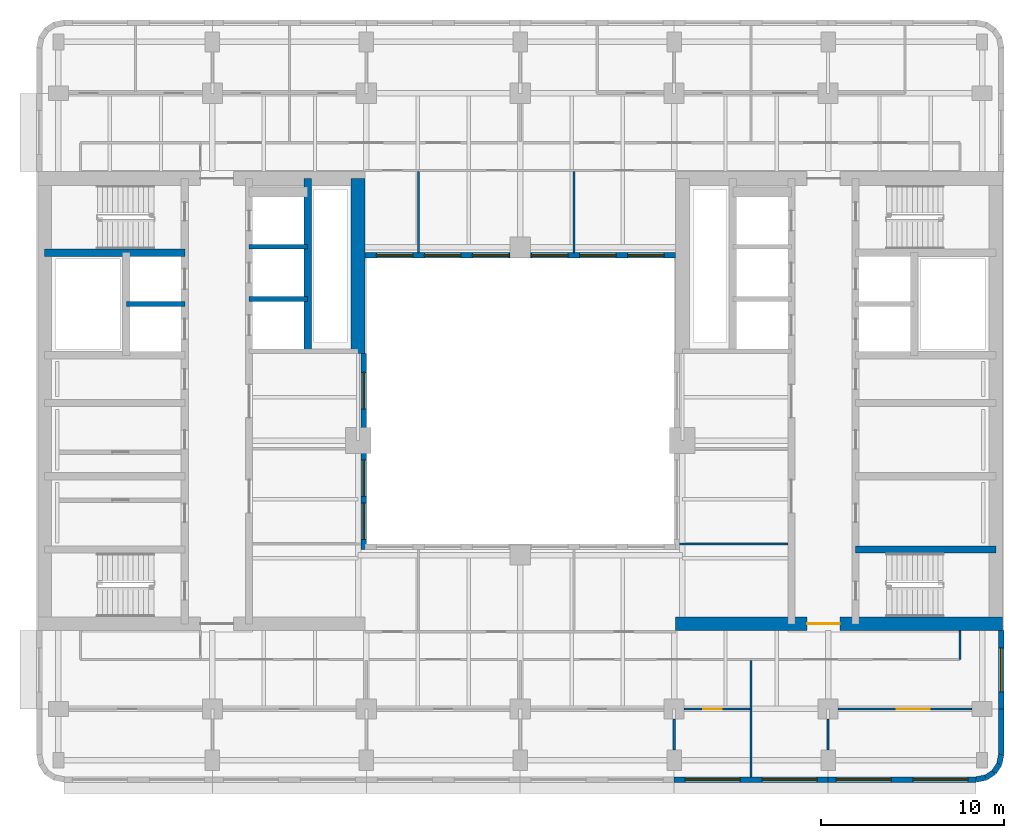
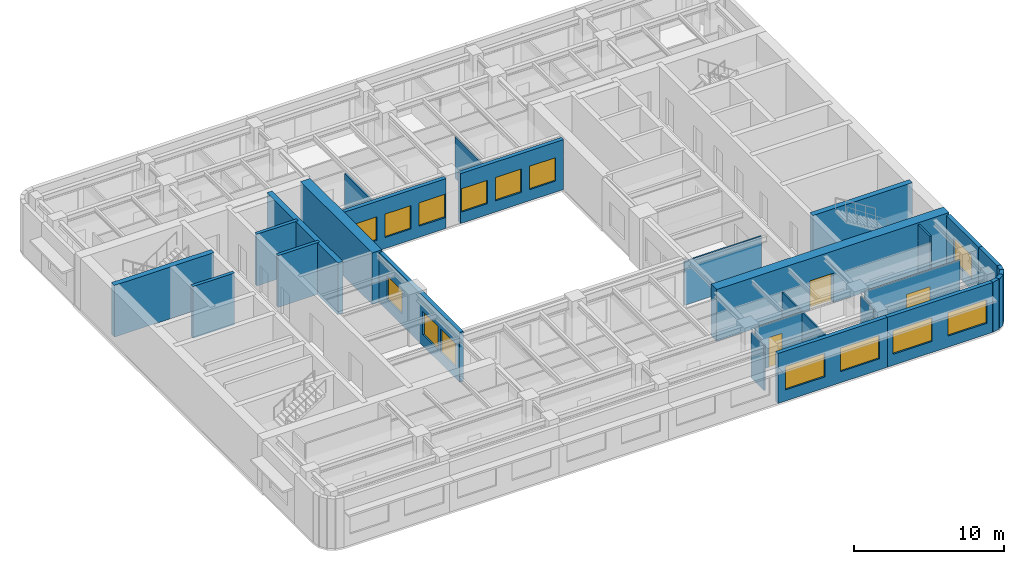
# One storey, part 5 of 12: 29 walls, 14 windows, 3 doors, 17 openings.
"""IFC4 building model written with IfcOpenShell, lengths in metres."""

from ifc_helpers import new_model, si_unit, direction, frame, frame_2d, origin, place, context, subcontext, project, spatial, rectangle, extrude, material, layer, layer_set, type_object, element, fill, save


model = new_model("IFC4")

# Units and contexts
model_context = context("Model", 3, precision=1e-05, world=origin(), true_north=direction((0.0, 1.0)))
body_context = subcontext(model_context, "Body", "Model", "MODEL_VIEW")
ifc_project = project(units=[si_unit("LENGTHUNIT", "METRE"), si_unit("AREAUNIT", "SQUARE_METRE"), si_unit("VOLUMEUNIT", "CUBIC_METRE"), si_unit("PLANEANGLEUNIT", "RADIAN"), si_unit("MASSUNIT", "GRAM", prefix="KILO")], contexts=[model_context])

# Site, building, storey
site_placement = place(None, origin())
site = spatial("IfcSite", under=ifc_project, at=site_placement, CompositionType="ELEMENT")
building_placement = place(site_placement, origin())
building = spatial("IfcBuilding", under=site, at=building_placement, Name="Claustro Exchange Tower", CompositionType="ELEMENT")
storey_placement = place(building_placement, frame((0.0, 0.0, 223.800048828125)))
storey = spatial("IfcBuildingStorey", under=building, at=storey_placement, Name="L51", CompositionType="ELEMENT", Elevation=223.800048828125)

# Wall
ifc_material_1 = material(Name="Laminated glass in aluminium frame", Category="aluminium")
ifc_layer_1 = layer(ifc_material_1, 0.1201171875)
ifc_layer_set_1 = layer_set([ifc_layer_1], Name="Laminated glass in aluminium frame")
wall_type_1 = type_object("IfcWallType", Name="P2 120 glazed partition", PredefinedType="PARTITIONING", material=ifc_layer_set_1)
wall_1_placement = place(storey_placement, frame((33.89794921875, 17.39990234375, 0.0), z_axis=(0.0, 0.0, 1.0), x_axis=(1.0, 0.0, 0.0)))
element("IfcWall", 1, at=wall_1_placement, inside=storey, type_object=wall_type_1, Name="Partition P2 L51", PredefinedType="PARTITIONING", context=body_context, shape_type="SweptSolid", body=[
    extrude(rectangle(XDim=5.904052734375, YDim=0.1201171875, at=frame_2d((2.9521484375, 0.0))), origin(), (0.0, 0.0, 1.0), 3.550048828125),
])

# Wall, opening, door
wall_2_placement = place(storey_placement, frame((34.14892578125, 8.39990234375, 0.0), z_axis=(0.0, 0.0, 1.0), x_axis=(1.0, 0.0, 0.0)))
wall_2 = element("IfcWall", 2, at=wall_2_placement, inside=storey, type_object=wall_type_1, Name="Partition P2 L51", PredefinedType="PARTITIONING", context=body_context, shape_type="SweptSolid", body=[
    extrude(rectangle(XDim=3.593017578125, YDim=0.1201171875, at=frame_2d((1.79638671875, 0.0))), origin(), (0.0, 0.0, 1.0), 3.550048828125),
])
opening_1_placement = place(wall_2_placement, frame((1.051025390625, 0.0, 0.0)))
opening_1 = element("IfcOpeningElement", 3, at=opening_1_placement, cuts=wall_2, Name="Opening D7", PredefinedType="OPENING", context=body_context, shape_type="SweptSolid", body=[
    extrude(rectangle(XDim=1.0, YDim=2.39990234375, at=frame_2d((0.5, 1.199951171875))), frame((0.0, 0.070068359375, 0.0), z_axis=(0.0, -1.0, 0.0), x_axis=(1.0, 0.0, 0.0)), (0.0, 0.0, 1.0), 0.14013671875),
])
ifc_material_2 = material(Name="Glass door in aluminium frame", Category="aluminium")
door_type_1 = type_object("IfcDoorType", Name="D7 1000 x 2400 glazed door", OperationType="SINGLE_SWING_LEFT", PredefinedType="DOOR", material=ifc_material_2)
door_1_placement = place(opening_1_placement, frame((1.0, 0.0, 0.0), z_axis=(0.0, 0.0, 1.0), x_axis=(-1.0, 0.0, 0.0)))
door_1 = element("IfcDoor", 4, at=door_1_placement, inside=storey, type_object=door_type_1, Name="Door D7 L51", OperationType="SINGLE_SWING_LEFT", OverallHeight=2.39990234375, OverallWidth=1.0, PredefinedType="DOOR", context=body_context, shape_type="SweptSolid", body=[
    extrude(rectangle(XDim=1.0, YDim=2.39990234375, at=frame_2d((0.5, 1.199951171875))), frame((0.0, 0.02490234375, 0.0), z_axis=(0.0, -1.0, 0.0), x_axis=(1.0, 0.0, 0.0)), (0.0, 0.0, 1.0), 0.050048828125),
])
fill(opening_1, door_1)

# Walls
wall_3_placement = place(storey_placement, frame((33.60009765625, 6.14892578125, 0.0), z_axis=(0.0, 0.0, 1.0), x_axis=(0.0, 1.0, 0.0)))
element("IfcWall", 5, at=wall_3_placement, inside=storey, type_object=wall_type_1, Name="Partition P2 L51", PredefinedType="PARTITIONING", context=body_context, shape_type="SweptSolid", body=[
    extrude(rectangle(XDim=1.7021484375, YDim=0.1201171875, at=frame_2d((0.85107421875, 0.0))), origin(), (0.0, 0.0, 1.0), 3.68994140625),
])
wall_4_placement = place(storey_placement, frame((37.800048828125, 4.699951171875, 0.0), z_axis=(0.0, 0.0, 1.0), x_axis=(0.0, 1.0, 0.0)))
element("IfcWall", 6, at=wall_4_placement, inside=storey, type_object=wall_type_1, Name="Partition P2 L51", PredefinedType="PARTITIONING", context=body_context, shape_type="SweptSolid", body=[
    extrude(rectangle(XDim=3.7021484375, YDim=0.1201171875, at=frame_2d((1.85107421875, 0.0))), origin(), (0.0, 0.0, 1.0), 3.550048828125),
])

# Wall, opening, door
wall_5_placement = place(storey_placement, frame((42.549072265625, 8.39990234375, 0.0), z_axis=(0.0, 0.0, 1.0), x_axis=(1.0, 0.0, 0.0)))
wall_5 = element("IfcWall", 7, at=wall_5_placement, inside=storey, type_object=wall_type_1, Name="Partition P2 L51", PredefinedType="PARTITIONING", context=body_context, shape_type="SweptSolid", body=[
    extrude(rectangle(XDim=7.302001953125, YDim=0.1201171875, at=frame_2d((3.65087890625, 0.0))), origin(), (0.0, 0.0, 1.0), 3.550048828125),
])
opening_2_placement = place(wall_5_placement, frame((3.200927734375, 0.0, 0.0)))
opening_2 = element("IfcOpeningElement", 8, at=opening_2_placement, cuts=wall_5, Name="Opening D2", PredefinedType="OPENING", context=body_context, shape_type="SweptSolid", body=[
    extrude(rectangle(XDim=1.800048828125, YDim=2.199951171875, at=frame_2d((0.89990234375, 1.10009765625))), frame((0.0, 0.070068359375, 0.0), z_axis=(0.0, -1.0, 0.0), x_axis=(1.0, 0.0, 0.0)), (0.0, 0.0, 1.0), 0.14013671875),
])
ifc_material_3 = material(Name="Timber door, oak veneer", Category="wood")
door_type_2 = type_object("IfcDoorType", Name="D2 1800 x 2200 double door", OperationType="DOUBLE_DOOR_SINGLE_SWING", PredefinedType="DOOR", material=ifc_material_3)
door_2_placement = place(opening_2_placement, frame((1.800048828125, 0.0, 0.0), z_axis=(0.0, 0.0, 1.0), x_axis=(-1.0, 0.0, 0.0)))
door_2 = element("IfcDoor", 9, at=door_2_placement, inside=storey, type_object=door_type_2, Name="Double door D2 L51", OperationType="DOUBLE_DOOR_SINGLE_SWING", OverallHeight=2.199951171875, OverallWidth=1.800048828125, PredefinedType="DOOR", context=body_context, shape_type="SweptSolid", body=[
    extrude(rectangle(XDim=1.800048828125, YDim=2.199951171875, at=frame_2d((0.89990234375, 1.10009765625))), frame((0.0, 0.02490234375, 0.0), z_axis=(0.0, -1.0, 0.0), x_axis=(1.0, 0.0, 0.0)), (0.0, 0.0, 1.0), 0.050048828125),
])
fill(opening_2, door_2)

# Walls
wall_6_placement = place(storey_placement, frame((42.0, 6.14892578125, 0.0), z_axis=(0.0, 0.0, 1.0), x_axis=(0.0, 1.0, 0.0)))
element("IfcWall", 10, at=wall_6_placement, inside=storey, type_object=wall_type_1, Name="Partition P2 L51", PredefinedType="PARTITIONING", context=body_context, shape_type="SweptSolid", body=[
    extrude(rectangle(XDim=1.7021484375, YDim=0.1201171875, at=frame_2d((0.85107421875, 0.0))), origin(), (0.0, 0.0, 1.0), 3.68994140625),
])
wall_7_placement = place(storey_placement, frame((37.800048828125, 8.39794921875, 0.0), z_axis=(0.0, 0.0, 1.0), x_axis=(0.0, 1.0, 0.0)))
element("IfcWall", 11, at=wall_7_placement, inside=storey, type_object=wall_type_1, Name="Partition P2 L51", PredefinedType="PARTITIONING", context=body_context, shape_type="SweptSolid", body=[
    extrude(rectangle(XDim=2.64404296875, YDim=0.1201171875, at=frame_2d((1.322021484375, 0.0))), origin(), (0.0, 0.0, 1.0), 3.550048828125),
])
wall_8_placement = place(storey_placement, frame((49.199951171875, 11.10009765625, 0.0), z_axis=(0.0, 0.0, 1.0), x_axis=(0.0, 1.0, 0.0)))
element("IfcWall", 12, at=wall_8_placement, inside=storey, type_object=wall_type_1, Name="Partition P2 L51", PredefinedType="PARTITIONING", context=body_context, shape_type="SweptSolid", body=[
    extrude(rectangle(XDim=1.575927734375, YDim=0.1201171875, at=frame_2d((0.7880859375, 0.0))), origin(), (0.0, 0.0, 1.0), 4.050048828125),
])
for number, where, z_axis, x_axis, name in (
    (13, (19.64990234375, 33.298095703125, 0.0), (0.0, 0.0, 1.0), (0.0, 1.0, 0.0), "Partition P2 L51"),
    (14, (28.1298828125, 33.298095703125, 0.0), (0.0, 0.0, 1.0), (0.0, 1.0, 0.0), "Partition P2 L51"),
):
    element("IfcWall", number, at=place(storey_placement, frame(where, z_axis=z_axis, x_axis=x_axis)), inside=storey, type_object=wall_type_1, Name=name, PredefinedType="PARTITIONING", context=body_context, shape_type="SweptSolid", body=[
        extrude(rectangle(XDim=4.44384765625, YDim=0.1201171875, at=frame_2d((2.221923828125, 0.0))), origin(), (0.0, 0.0, 1.0), 3.35986328125),
    ])

# Wall, openings, windows
ifc_material_4 = material(Name="Concrete HA-40 (C40/50), precast, white cement, acid-etched", Category="concrete")
ifc_layer_2 = layer(ifc_material_4, 0.300048828125)
ifc_layer_set_2 = layer_set([ifc_layer_2], Name="Concrete HA-40 (C40/50), precast, white cement, acid-etched")
wall_type_2 = type_object("IfcWallType", Name="PC1 300 precast concrete pier panel", PredefinedType="SOLIDWALL", material=ifc_layer_set_2)
wall_9_placement = place(storey_placement, frame((50.085205078125, 4.550048828125, 0.0), z_axis=(0.0, 0.0, 1.0), x_axis=(-1.0, 0.0, 0.0)))
wall_9 = element("IfcWall", 15, at=wall_9_placement, inside=storey, type_object=wall_type_2, Name="Precast pier panel PC1 L51", PredefinedType="SOLIDWALL", context=body_context, shape_type="SweptSolid", body=[
    extrude(rectangle(XDim=8.085205078125, YDim=0.300048828125, at=frame_2d((4.04248046875, 0.0))), origin(), (0.0, 0.0, 1.0), 4.050048828125),
])
opening_3_placement = place(wall_9_placement, frame((0.442626953125, 0.0, 0.89990234375)))
opening_3 = element("IfcOpeningElement", 16, at=opening_3_placement, cuts=wall_9, Name="Opening W1", PredefinedType="OPENING", context=body_context, shape_type="SweptSolid", body=[
    extrude(rectangle(XDim=3.0, YDim=1.89990234375, at=frame_2d((1.5, 0.949951171875))), frame((0.0, 0.159912109375, 0.0), z_axis=(0.0, -1.0, 0.0), x_axis=(1.0, 0.0, 0.0)), (0.0, 0.0, 1.0), 0.320068359375),
])
opening_4_placement = place(wall_9_placement, frame((4.642578125, 0.0, 0.89990234375)))
opening_4 = element("IfcOpeningElement", 17, at=opening_4_placement, cuts=wall_9, Name="Opening W1", PredefinedType="OPENING", context=body_context, shape_type="SweptSolid", body=[
    extrude(rectangle(XDim=3.0, YDim=1.89990234375, at=frame_2d((1.5, 0.949951171875))), frame((0.0, 0.159912109375, 0.0), z_axis=(0.0, -1.0, 0.0), x_axis=(1.0, 0.0, 0.0)), (0.0, 0.0, 1.0), 0.320068359375),
])
ifc_material_5 = material(Name="Aluminium frame, clear double glazing", Category="aluminium")
window_type_1 = type_object("IfcWindowType", Name="W1 3000 x 1900 window", PartitioningType="SINGLE_PANEL", PredefinedType="WINDOW", material=ifc_material_5)
window_1_placement = place(opening_3_placement, origin())
window_1 = element("IfcWindow", 18, at=window_1_placement, inside=storey, type_object=window_type_1, Name="Window W1 L51", OverallHeight=1.89990234375, OverallWidth=3.0, PartitioningType="SINGLE_PANEL", PredefinedType="WINDOW", context=body_context, shape_type="SweptSolid", body=[
    extrude(rectangle(XDim=3.0, YDim=1.89990234375, at=frame_2d((1.5, 0.949951171875))), frame((0.0, 0.030029296875, 0.0), z_axis=(0.0, -1.0, 0.0), x_axis=(1.0, 0.0, 0.0)), (0.0, 0.0, 1.0), 0.06005859375),
])
fill(opening_3, window_1)
window_2_placement = place(opening_4_placement, origin())
window_2 = element("IfcWindow", 19, at=window_2_placement, inside=storey, type_object=window_type_1, Name="Window W1 L51", OverallHeight=1.89990234375, OverallWidth=3.0, PartitioningType="SINGLE_PANEL", PredefinedType="WINDOW", context=body_context, shape_type="SweptSolid", body=[
    extrude(rectangle(XDim=3.0, YDim=1.89990234375, at=frame_2d((1.5, 0.949951171875))), frame((0.0, 0.030029296875, 0.0), z_axis=(0.0, -1.0, 0.0), x_axis=(1.0, 0.0, 0.0)), (0.0, 0.0, 1.0), 0.06005859375),
])
fill(opening_4, window_2)

wall_10_placement = place(storey_placement, frame((42.0, 4.550048828125, 0.0), z_axis=(0.0, 0.0, 1.0), x_axis=(-1.0, 0.0, 0.0)))
wall_10 = element("IfcWall", 20, at=wall_10_placement, inside=storey, type_object=wall_type_2, Name="Precast pier panel PC1 L51", PredefinedType="SOLIDWALL", context=body_context, shape_type="SweptSolid", body=[
    extrude(rectangle(XDim=8.39990234375, YDim=0.300048828125, at=frame_2d((4.199951171875, 0.0))), origin(), (0.0, 0.0, 1.0), 4.050048828125),
])
opening_5_placement = place(wall_10_placement, frame((0.60009765625, 0.0, 0.89990234375)))
opening_5 = element("IfcOpeningElement", 21, at=opening_5_placement, cuts=wall_10, Name="Opening W1", PredefinedType="OPENING", context=body_context, shape_type="SweptSolid", body=[
    extrude(rectangle(XDim=3.0, YDim=1.89990234375, at=frame_2d((1.5, 0.949951171875))), frame((0.0, 0.159912109375, 0.0), z_axis=(0.0, -1.0, 0.0), x_axis=(1.0, 0.0, 0.0)), (0.0, 0.0, 1.0), 0.320068359375),
])
opening_6_placement = place(wall_10_placement, frame((4.800048828125, 0.0, 0.89990234375)))
opening_6 = element("IfcOpeningElement", 22, at=opening_6_placement, cuts=wall_10, Name="Opening W1", PredefinedType="OPENING", context=body_context, shape_type="SweptSolid", body=[
    extrude(rectangle(XDim=3.0, YDim=1.89990234375, at=frame_2d((1.5, 0.949951171875))), frame((0.0, 0.159912109375, 0.0), z_axis=(0.0, -1.0, 0.0), x_axis=(1.0, 0.0, 0.0)), (0.0, 0.0, 1.0), 0.320068359375),
])
window_3_placement = place(opening_5_placement, origin())
window_3 = element("IfcWindow", 23, at=window_3_placement, inside=storey, type_object=window_type_1, Name="Window W1 L51", OverallHeight=1.89990234375, OverallWidth=3.0, PartitioningType="SINGLE_PANEL", PredefinedType="WINDOW", context=body_context, shape_type="SweptSolid", body=[
    extrude(rectangle(XDim=3.0, YDim=1.89990234375, at=frame_2d((1.5, 0.949951171875))), frame((0.0, 0.030029296875, 0.0), z_axis=(0.0, -1.0, 0.0), x_axis=(1.0, 0.0, 0.0)), (0.0, 0.0, 1.0), 0.06005859375),
])
fill(opening_5, window_3)
window_4_placement = place(opening_6_placement, origin())
window_4 = element("IfcWindow", 24, at=window_4_placement, inside=storey, type_object=window_type_1, Name="Window W1 L51", OverallHeight=1.89990234375, OverallWidth=3.0, PartitioningType="SINGLE_PANEL", PredefinedType="WINDOW", context=body_context, shape_type="SweptSolid", body=[
    extrude(rectangle(XDim=3.0, YDim=1.89990234375, at=frame_2d((1.5, 0.949951171875))), frame((0.0, 0.030029296875, 0.0), z_axis=(0.0, -1.0, 0.0), x_axis=(1.0, 0.0, 0.0)), (0.0, 0.0, 1.0), 0.06005859375),
])
fill(opening_6, window_4)

# Wall, opening, window
wall_11_placement = place(storey_placement, frame((51.449951171875, 12.675048828125, 0.0), z_axis=(0.0, 0.0, 1.0), x_axis=(0.0, -1.0, 0.0)))
wall_11 = element("IfcWall", 25, at=wall_11_placement, inside=storey, type_object=wall_type_2, Name="Precast pier panel PC1 L51", PredefinedType="SOLIDWALL", context=body_context, shape_type="SweptSolid", body=[
    extrude(rectangle(XDim=4.275146484375, YDim=0.300048828125, at=frame_2d((2.1376953125, 0.0))), origin(), (0.0, 0.0, 1.0), 4.050048828125),
])
opening_7_placement = place(wall_11_placement, frame((0.9375, 0.0, 0.89990234375)))
opening_7 = element("IfcOpeningElement", 26, at=opening_7_placement, cuts=wall_11, Name="Opening W2", PredefinedType="OPENING", context=body_context, shape_type="SweptSolid", body=[
    extrude(rectangle(XDim=2.39990234375, YDim=1.89990234375, at=frame_2d((1.199951171875, 0.949951171875))), frame((0.0, 0.159912109375, 0.0), z_axis=(0.0, -1.0, 0.0), x_axis=(1.0, 0.0, 0.0)), (0.0, 0.0, 1.0), 0.320068359375),
])
ifc_material_6 = material(Name="Aluminium frame, clear double glazing", Category="aluminium")
window_type_2 = type_object("IfcWindowType", Name="W2 2400 x 1900 window", PartitioningType="SINGLE_PANEL", PredefinedType="WINDOW", material=ifc_material_6)
window_5_placement = place(opening_7_placement, origin())
window_5 = element("IfcWindow", 27, at=window_5_placement, inside=storey, type_object=window_type_2, Name="Window W2 L51", OverallHeight=1.89990234375, OverallWidth=2.39990234375, PartitioningType="SINGLE_PANEL", PredefinedType="WINDOW", context=body_context, shape_type="SweptSolid", body=[
    extrude(rectangle(XDim=2.39990234375, YDim=1.89990234375, at=frame_2d((1.199951171875, 0.949951171875))), frame((0.0, 0.030029296875, 0.0), z_axis=(0.0, -1.0, 0.0), x_axis=(1.0, 0.0, 0.0)), (0.0, 0.0, 1.0), 0.06005859375),
])
fill(opening_7, window_5)

# Walls
wall_12_placement = place(storey_placement, frame((51.449951171875, 8.39990234375, 0.0), z_axis=(0.0, 0.0, 1.0), x_axis=(0.0, -1.0, 0.0)))
element("IfcWall", 28, at=wall_12_placement, inside=storey, type_object=wall_type_2, Name="Precast pier panel PC1 L51", PredefinedType="SOLIDWALL", context=body_context, shape_type="SweptSolid", body=[
    extrude(rectangle(XDim=2.485107421875, YDim=0.300048828125, at=frame_2d((1.24267578125, 0.0))), origin(), (0.0, 0.0, 1.0), 4.050048828125),
])
wall_13_placement = place(storey_placement, frame((51.449951171875, 5.914794921875, 0.0), z_axis=(0.0, 0.0, 1.0), x_axis=(-0.195073962632, -0.980788534345, 0.0)))
element("IfcWall", 29, at=wall_13_placement, inside=storey, type_object=wall_type_2, Name="Precast pier panel PC1 L51", PredefinedType="SOLIDWALL", context=body_context, shape_type="SweptSolid", body=[
    extrude(rectangle(XDim=0.540771484375, YDim=0.300048828125, at=frame_2d((0.2705078125, 0.0))), origin(), (0.0, 0.0, 1.0), 4.050048828125),
])
for number, where, z_axis, x_axis, name in (
    (30, (51.344482421875, 5.384521484375, 0.0), (0.0, 0.0, 1.0), (-0.555557463938, -0.831478144188, 0.0), "Precast pier panel PC1 L51"),
    (31, (51.052490234375, 4.947509765625, 0.0), (0.0, 0.0, 1.0), (-0.831478144188, -0.555557463938, 0.0), "Precast pier panel PC1 L51"),
):
    element("IfcWall", number, at=place(storey_placement, frame(where, z_axis=z_axis, x_axis=x_axis)), inside=storey, type_object=wall_type_2, Name=name, PredefinedType="SOLIDWALL", context=body_context, shape_type="SweptSolid", body=[
        extrude(rectangle(XDim=0.525634765625, YDim=0.300048828125, at=frame_2d((0.2626953125, 0.0))), origin(), (0.0, 0.0, 1.0), 4.050048828125),
    ])
wall_14_placement = place(storey_placement, frame((50.615478515625, 4.655517578125, 0.0), z_axis=(0.0, 0.0, 1.0), x_axis=(-0.980788534345, -0.195073962632, 0.0)))
element("IfcWall", 32, at=wall_14_placement, inside=storey, type_object=wall_type_2, Name="Precast pier panel PC1 L51", PredefinedType="SOLIDWALL", context=body_context, shape_type="SweptSolid", body=[
    extrude(rectangle(XDim=0.540771484375, YDim=0.300048828125, at=frame_2d((0.2705078125, 0.0))), origin(), (0.0, 0.0, 1.0), 4.050048828125),
])

# Wall, openings, windows
wall_15_placement = place(storey_placement, frame((16.64990234375, 17.10009765625, 0.0), z_axis=(0.0, 0.0, 1.0), x_axis=(0.0, 1.0, 0.0)))
wall_15 = element("IfcWall", 33, at=wall_15_placement, inside=storey, type_object=wall_type_2, Name="Precast pier panel PC1 L51", PredefinedType="SOLIDWALL", context=body_context, shape_type="SweptSolid", body=[
    extrude(rectangle(XDim=10.699951171875, YDim=0.300048828125, at=frame_2d((5.35009765625, 0.0))), origin(), (0.0, 0.0, 1.0), 4.050048828125),
])
opening_8_placement = place(wall_15_placement, frame((0.550048828125, 0.0, 0.89990234375)))
opening_8 = element("IfcOpeningElement", 34, at=opening_8_placement, cuts=wall_15, Name="Opening W4", PredefinedType="OPENING", context=body_context, shape_type="SweptSolid", body=[
    extrude(rectangle(XDim=2.0, YDim=1.89990234375, at=frame_2d((1.0, 0.949951171875))), frame((0.0, 0.159912109375, 0.0), z_axis=(0.0, -1.0, 0.0), x_axis=(1.0, 0.0, 0.0)), (0.0, 0.0, 1.0), 0.320068359375),
])
opening_9_placement = place(wall_15_placement, frame((2.89990234375, 0.0, 0.89990234375)))
opening_9 = element("IfcOpeningElement", 35, at=opening_9_placement, cuts=wall_15, Name="Opening W4", PredefinedType="OPENING", context=body_context, shape_type="SweptSolid", body=[
    extrude(rectangle(XDim=2.0, YDim=1.89990234375, at=frame_2d((1.0, 0.949951171875))), frame((0.0, 0.159912109375, 0.0), z_axis=(0.0, -1.0, 0.0), x_axis=(1.0, 0.0, 0.0)), (0.0, 0.0, 1.0), 0.320068359375),
])
opening_10_placement = place(wall_15_placement, frame((7.675048828125, 0.0, 0.89990234375)))
opening_10 = element("IfcOpeningElement", 36, at=opening_10_placement, cuts=wall_15, Name="Opening W4", PredefinedType="OPENING", context=body_context, shape_type="SweptSolid", body=[
    extrude(rectangle(XDim=2.0, YDim=1.89990234375, at=frame_2d((1.0, 0.949951171875))), frame((0.0, 0.159912109375, 0.0), z_axis=(0.0, -1.0, 0.0), x_axis=(1.0, 0.0, 0.0)), (0.0, 0.0, 1.0), 0.320068359375),
])
ifc_material_7 = material(Name="Aluminium frame, clear double glazing", Category="aluminium")
window_type_3 = type_object("IfcWindowType", Name="W4 2000 x 1900 light well window", PartitioningType="SINGLE_PANEL", PredefinedType="WINDOW", material=ifc_material_7)
window_6_placement = place(opening_8_placement, origin())
window_6 = element("IfcWindow", 37, at=window_6_placement, inside=storey, type_object=window_type_3, Name="Window W4 L51", OverallHeight=1.89990234375, OverallWidth=2.0, PartitioningType="SINGLE_PANEL", PredefinedType="WINDOW", context=body_context, shape_type="SweptSolid", body=[
    extrude(rectangle(XDim=2.0, YDim=1.89990234375, at=frame_2d((1.0, 0.949951171875))), frame((0.0, 0.030029296875, 0.0), z_axis=(0.0, -1.0, 0.0), x_axis=(1.0, 0.0, 0.0)), (0.0, 0.0, 1.0), 0.06005859375),
])
fill(opening_8, window_6)
window_7_placement = place(opening_9_placement, origin())
window_7 = element("IfcWindow", 38, at=window_7_placement, inside=storey, type_object=window_type_3, Name="Window W4 L51", OverallHeight=1.89990234375, OverallWidth=2.0, PartitioningType="SINGLE_PANEL", PredefinedType="WINDOW", context=body_context, shape_type="SweptSolid", body=[
    extrude(rectangle(XDim=2.0, YDim=1.89990234375, at=frame_2d((1.0, 0.949951171875))), frame((0.0, 0.030029296875, 0.0), z_axis=(0.0, -1.0, 0.0), x_axis=(1.0, 0.0, 0.0)), (0.0, 0.0, 1.0), 0.06005859375),
])
fill(opening_9, window_7)
window_8_placement = place(opening_10_placement, origin())
window_8 = element("IfcWindow", 39, at=window_8_placement, inside=storey, type_object=window_type_3, Name="Window W4 L51", OverallHeight=1.89990234375, OverallWidth=2.0, PartitioningType="SINGLE_PANEL", PredefinedType="WINDOW", context=body_context, shape_type="SweptSolid", body=[
    extrude(rectangle(XDim=2.0, YDim=1.89990234375, at=frame_2d((1.0, 0.949951171875))), frame((0.0, 0.030029296875, 0.0), z_axis=(0.0, -1.0, 0.0), x_axis=(1.0, 0.0, 0.0)), (0.0, 0.0, 1.0), 0.06005859375),
])
fill(opening_10, window_8)

wall_16_placement = place(storey_placement, frame((16.72509765625, 33.14990234375, 0.0), z_axis=(0.0, 0.0, 1.0), x_axis=(1.0, 0.0, 0.0)))
wall_16 = element("IfcWall", 40, at=wall_16_placement, inside=storey, type_object=wall_type_2, Name="Precast pier panel PC1 L51", PredefinedType="SOLIDWALL", context=body_context, shape_type="SweptSolid", body=[
    extrude(rectangle(XDim=7.9248046875, YDim=0.300048828125, at=frame_2d((3.96240234375, 0.0))), origin(), (0.0, 0.0, 1.0), 4.050048828125),
])
opening_11_placement = place(wall_16_placement, frame((0.61865234375, 0.0, 0.89990234375)))
opening_11 = element("IfcOpeningElement", 41, at=opening_11_placement, cuts=wall_16, Name="Opening W4", PredefinedType="OPENING", context=body_context, shape_type="SweptSolid", body=[
    extrude(rectangle(XDim=2.0, YDim=1.89990234375, at=frame_2d((1.0, 0.949951171875))), frame((0.0, 0.159912109375, 0.0), z_axis=(0.0, -1.0, 0.0), x_axis=(1.0, 0.0, 0.0)), (0.0, 0.0, 1.0), 0.320068359375),
])
opening_12_placement = place(wall_16_placement, frame((3.237548828125, 0.0, 0.89990234375)))
opening_12 = element("IfcOpeningElement", 42, at=opening_12_placement, cuts=wall_16, Name="Opening W4", PredefinedType="OPENING", context=body_context, shape_type="SweptSolid", body=[
    extrude(rectangle(XDim=2.0, YDim=1.89990234375, at=frame_2d((1.0, 0.949951171875))), frame((0.0, 0.159912109375, 0.0), z_axis=(0.0, -1.0, 0.0), x_axis=(1.0, 0.0, 0.0)), (0.0, 0.0, 1.0), 0.320068359375),
])
opening_13_placement = place(wall_16_placement, frame((5.856201171875, 0.0, 0.89990234375)))
opening_13 = element("IfcOpeningElement", 43, at=opening_13_placement, cuts=wall_16, Name="Opening W4", PredefinedType="OPENING", context=body_context, shape_type="SweptSolid", body=[
    extrude(rectangle(XDim=2.0, YDim=1.89990234375, at=frame_2d((1.0, 0.949951171875))), frame((0.0, 0.159912109375, 0.0), z_axis=(0.0, -1.0, 0.0), x_axis=(1.0, 0.0, 0.0)), (0.0, 0.0, 1.0), 0.320068359375),
])
window_9_placement = place(opening_11_placement, origin())
window_9 = element("IfcWindow", 44, at=window_9_placement, inside=storey, type_object=window_type_3, Name="Window W4 L51", OverallHeight=1.89990234375, OverallWidth=2.0, PartitioningType="SINGLE_PANEL", PredefinedType="WINDOW", context=body_context, shape_type="SweptSolid", body=[
    extrude(rectangle(XDim=2.0, YDim=1.89990234375, at=frame_2d((1.0, 0.949951171875))), frame((0.0, 0.030029296875, 0.0), z_axis=(0.0, -1.0, 0.0), x_axis=(1.0, 0.0, 0.0)), (0.0, 0.0, 1.0), 0.06005859375),
])
fill(opening_11, window_9)
window_10_placement = place(opening_12_placement, origin())
window_10 = element("IfcWindow", 45, at=window_10_placement, inside=storey, type_object=window_type_3, Name="Window W4 L51", OverallHeight=1.89990234375, OverallWidth=2.0, PartitioningType="SINGLE_PANEL", PredefinedType="WINDOW", context=body_context, shape_type="SweptSolid", body=[
    extrude(rectangle(XDim=2.0, YDim=1.89990234375, at=frame_2d((1.0, 0.949951171875))), frame((0.0, 0.030029296875, 0.0), z_axis=(0.0, -1.0, 0.0), x_axis=(1.0, 0.0, 0.0)), (0.0, 0.0, 1.0), 0.06005859375),
])
fill(opening_12, window_10)
window_11_placement = place(opening_13_placement, origin())
window_11 = element("IfcWindow", 46, at=window_11_placement, inside=storey, type_object=window_type_3, Name="Window W4 L51", OverallHeight=1.89990234375, OverallWidth=2.0, PartitioningType="SINGLE_PANEL", PredefinedType="WINDOW", context=body_context, shape_type="SweptSolid", body=[
    extrude(rectangle(XDim=2.0, YDim=1.89990234375, at=frame_2d((1.0, 0.949951171875))), frame((0.0, 0.030029296875, 0.0), z_axis=(0.0, -1.0, 0.0), x_axis=(1.0, 0.0, 0.0)), (0.0, 0.0, 1.0), 0.06005859375),
])
fill(opening_13, window_11)

wall_17_placement = place(storey_placement, frame((25.75, 33.14990234375, 0.0), z_axis=(0.0, 0.0, 1.0), x_axis=(1.0, 0.0, 0.0)))
wall_17 = element("IfcWall", 47, at=wall_17_placement, inside=storey, type_object=wall_type_2, Name="Precast pier panel PC1 L51", PredefinedType="SOLIDWALL", context=body_context, shape_type="SweptSolid", body=[
    extrude(rectangle(XDim=7.925048828125, YDim=0.300048828125, at=frame_2d((3.96240234375, 0.0))), origin(), (0.0, 0.0, 1.0), 4.050048828125),
])
opening_14_placement = place(wall_17_placement, frame((0.068603515625, 0.0, 0.89990234375)))
opening_14 = element("IfcOpeningElement", 48, at=opening_14_placement, cuts=wall_17, Name="Opening W4", PredefinedType="OPENING", context=body_context, shape_type="SweptSolid", body=[
    extrude(rectangle(XDim=2.0, YDim=1.89990234375, at=frame_2d((1.0, 0.949951171875))), frame((0.0, 0.159912109375, 0.0), z_axis=(0.0, -1.0, 0.0), x_axis=(1.0, 0.0, 0.0)), (0.0, 0.0, 1.0), 0.320068359375),
])
opening_15_placement = place(wall_17_placement, frame((2.6875, 0.0, 0.89990234375)))
opening_15 = element("IfcOpeningElement", 49, at=opening_15_placement, cuts=wall_17, Name="Opening W4", PredefinedType="OPENING", context=body_context, shape_type="SweptSolid", body=[
    extrude(rectangle(XDim=2.0, YDim=1.89990234375, at=frame_2d((1.0, 0.949951171875))), frame((0.0, 0.159912109375, 0.0), z_axis=(0.0, -1.0, 0.0), x_axis=(1.0, 0.0, 0.0)), (0.0, 0.0, 1.0), 0.320068359375),
])
opening_16_placement = place(wall_17_placement, frame((5.30615234375, 0.0, 0.89990234375)))
opening_16 = element("IfcOpeningElement", 50, at=opening_16_placement, cuts=wall_17, Name="Opening W4", PredefinedType="OPENING", context=body_context, shape_type="SweptSolid", body=[
    extrude(rectangle(XDim=2.0, YDim=1.89990234375, at=frame_2d((1.0, 0.949951171875))), frame((0.0, 0.159912109375, 0.0), z_axis=(0.0, -1.0, 0.0), x_axis=(1.0, 0.0, 0.0)), (0.0, 0.0, 1.0), 0.320068359375),
])
window_12_placement = place(opening_14_placement, origin())
window_12 = element("IfcWindow", 51, at=window_12_placement, inside=storey, type_object=window_type_3, Name="Window W4 L51", OverallHeight=1.89990234375, OverallWidth=2.0, PartitioningType="SINGLE_PANEL", PredefinedType="WINDOW", context=body_context, shape_type="SweptSolid", body=[
    extrude(rectangle(XDim=2.0, YDim=1.89990234375, at=frame_2d((1.0, 0.949951171875))), frame((0.0, 0.030029296875, 0.0), z_axis=(0.0, -1.0, 0.0), x_axis=(1.0, 0.0, 0.0)), (0.0, 0.0, 1.0), 0.06005859375),
])
fill(opening_14, window_12)
window_13_placement = place(opening_15_placement, origin())
window_13 = element("IfcWindow", 52, at=window_13_placement, inside=storey, type_object=window_type_3, Name="Window W4 L51", OverallHeight=1.89990234375, OverallWidth=2.0, PartitioningType="SINGLE_PANEL", PredefinedType="WINDOW", context=body_context, shape_type="SweptSolid", body=[
    extrude(rectangle(XDim=2.0, YDim=1.89990234375, at=frame_2d((1.0, 0.949951171875))), frame((0.0, 0.030029296875, 0.0), z_axis=(0.0, -1.0, 0.0), x_axis=(1.0, 0.0, 0.0)), (0.0, 0.0, 1.0), 0.06005859375),
])
fill(opening_15, window_13)
window_14_placement = place(opening_16_placement, origin())
window_14 = element("IfcWindow", 53, at=window_14_placement, inside=storey, type_object=window_type_3, Name="Window W4 L51", OverallHeight=1.89990234375, OverallWidth=2.0, PartitioningType="SINGLE_PANEL", PredefinedType="WINDOW", context=body_context, shape_type="SweptSolid", body=[
    extrude(rectangle(XDim=2.0, YDim=1.89990234375, at=frame_2d((1.0, 0.949951171875))), frame((0.0, 0.030029296875, 0.0), z_axis=(0.0, -1.0, 0.0), x_axis=(1.0, 0.0, 0.0)), (0.0, 0.0, 1.0), 0.06005859375),
])
fill(opening_16, window_14)

# Wall, opening, door
ifc_material_8 = material(Name="Concrete HA-70 (C70/85)", Category="concrete")
ifc_layer_3 = layer(ifc_material_8, 0.75)
ifc_layer_set_3 = layer_set([ifc_layer_3], Name="Concrete HA-70 (C70/85)")
wall_type_3 = type_object("IfcWallType", Name="SW2 750 core shear wall", PredefinedType="SHEAR", material=ifc_layer_set_3)
wall_18_placement = place(storey_placement, frame((33.675048828125, 13.050048828125, 0.0), z_axis=(0.0, 0.0, 1.0), x_axis=(1.0, 0.0, 0.0)))
wall_18 = element("IfcWall", 54, at=wall_18_placement, inside=storey, type_object=wall_type_3, Name="Core wall SW2 E core S face L51", PredefinedType="SHEAR", context=body_context, shape_type="SweptSolid", body=[
    extrude(rectangle(XDim=17.849853515625, YDim=0.75, at=frame_2d((8.9248046875, 0.0))), origin(), (0.0, 0.0, 1.0), 4.199951171875),
])
opening_17_placement = place(wall_18_placement, frame((7.175048828125, 0.0, 0.0)))
opening_17 = element("IfcOpeningElement", 55, at=opening_17_placement, cuts=wall_18, Name="Opening D3", PredefinedType="OPENING", context=body_context, shape_type="SweptSolid", body=[
    extrude(rectangle(XDim=1.800048828125, YDim=2.39990234375, at=frame_2d((0.89990234375, 1.199951171875))), frame((0.0, 0.385009765625, 0.0), z_axis=(0.0, -1.0, 0.0), x_axis=(1.0, 0.0, 0.0)), (0.0, 0.0, 1.0), 0.77001953125),
])
ifc_material_9 = material(Name="Steel fire door, painted", Category="steel")
door_type_3 = type_object("IfcDoorType", Name="D3 1800 x 2400 fire-rated lobby double door", OperationType="DOUBLE_DOOR_SINGLE_SWING", PredefinedType="DOOR", material=ifc_material_9)
door_3_placement = place(opening_17_placement, origin())
door_3 = element("IfcDoor", 56, at=door_3_placement, inside=storey, type_object=door_type_3, Name="Lift lobby door D3 L51", OperationType="DOUBLE_DOOR_SINGLE_SWING", OverallHeight=2.39990234375, OverallWidth=1.800048828125, PredefinedType="DOOR", context=body_context, shape_type="SweptSolid", body=[
    extrude(rectangle(XDim=1.800048828125, YDim=2.39990234375, at=frame_2d((0.89990234375, 1.199951171875))), frame((0.0, 0.02490234375, 0.0), z_axis=(0.0, -1.0, 0.0), x_axis=(1.0, 0.0, 0.0)), (0.0, 0.0, 1.0), 0.050048828125),
])
fill(opening_17, door_3)

# Walls
ifc_material_10 = material(Name="Concrete HA-70 (C70/85)", Category="concrete")
ifc_layer_4 = layer(ifc_material_10, 0.75)
ifc_layer_set_4 = layer_set([ifc_layer_4], Name="Concrete HA-70 (C70/85)")
wall_type_4 = type_object("IfcWallType", Name="SW2X 750 exposed core shear wall, board-marked face", PredefinedType="SHEAR", material=ifc_layer_set_4)
wall_19_placement = place(storey_placement, frame((16.35009765625, 27.800048828125, 0.0), z_axis=(0.0, 0.0, 1.0), x_axis=(0.0, 1.0, 0.0)))
element("IfcWall", 57, at=wall_19_placement, inside=storey, type_object=wall_type_4, Name="Core wall SW2X W core E face L51", PredefinedType="SHEAR", context=body_context, shape_type="SweptSolid", body=[
    extrude(rectangle(XDim=9.550048828125, YDim=0.75, at=frame_2d((4.77490234375, 0.0))), origin(), (0.0, 0.0, 1.0), 4.199951171875),
])
ifc_material_11 = material(Name="Concrete HA-50 (C50/60)", Category="concrete")
ifc_layer_5 = layer(ifc_material_11, 0.39990234375)
ifc_layer_set_5 = layer_set([ifc_layer_5], Name="Concrete HA-50 (C50/60)")
wall_type_5 = type_object("IfcWallType", Name="SW4 400 internal core wall", PredefinedType="SHEAR", material=ifc_layer_set_5)
wall_20_placement = place(storey_placement, frame((13.60009765625, 27.925048828125, 0.0), z_axis=(0.0, 0.0, 1.0), x_axis=(0.0, 1.0, 0.0)))
element("IfcWall", 58, at=wall_20_placement, inside=storey, type_object=wall_type_5, Name="Internal core wall SW4 W core L51", PredefinedType="SHEAR", context=body_context, shape_type="SweptSolid", body=[
    extrude(rectangle(XDim=9.425048828125, YDim=0.39990234375, at=frame_2d((4.71240234375, 0.0))), origin(), (0.0, 0.0, 1.0), 4.199951171875),
])
for number, where, z_axis, x_axis, name in (
    (59, (-0.75, 33.300048828125, 0.0), (0.0, 0.0, 1.0), (1.0, 0.0, 0.0), "Internal core wall SW4 W core L51"),
    (60, (51.14990234375, 17.10009765625, 0.0), (0.0, 0.0, 1.0), (-1.0, 0.0, 0.0), "Internal core wall SW4 E core L51"),
):
    element("IfcWall", number, at=place(storey_placement, frame(where, z_axis=z_axis, x_axis=x_axis)), inside=storey, type_object=wall_type_5, Name=name, PredefinedType="SHEAR", context=body_context, shape_type="SweptSolid", body=[
        extrude(rectangle(XDim=7.64990234375, YDim=0.39990234375, at=frame_2d((3.824951171875, 0.0))), origin(), (0.0, 0.0, 1.0), 4.199951171875),
    ])
ifc_material_12 = material(Name="Concrete HA-50 (C50/60)", Category="concrete")
ifc_layer_6 = layer(ifc_material_12, 0.25)
ifc_layer_set_6 = layer_set([ifc_layer_6], Name="Concrete HA-50 (C50/60)")
wall_type_6 = type_object("IfcWallType", Name="SW5 250 lift shaft divider wall", PredefinedType="SHEAR", material=ifc_layer_set_6)
wall_21_placement = place(storey_placement, frame((3.699951171875, 30.5, 0.0), z_axis=(0.0, 0.0, 1.0), x_axis=(1.0, 0.0, 0.0)))
element("IfcWall", 61, at=wall_21_placement, inside=storey, type_object=wall_type_6, Name="Lift shaft wall W core L51", PredefinedType="SHEAR", context=body_context, shape_type="SweptSolid", body=[
    extrude(rectangle(XDim=3.199951171875, YDim=0.25, at=frame_2d((1.60009765625, 0.0))), origin(), (0.0, 0.0, 1.0), 4.199951171875),
])
for number, where, z_axis, x_axis, name in (
    (62, (10.39990234375, 30.77490234375, 0.0), (0.0, 0.0, 1.0), (1.0, 0.0, 0.0), "Lift shaft wall W core L51"),
    (63, (10.39990234375, 33.625, 0.0), (0.0, 0.0, 1.0), (1.0, 0.0, 0.0), "Lift shaft wall W core L51"),
):
    element("IfcWall", number, at=place(storey_placement, frame(where, z_axis=z_axis, x_axis=x_axis)), inside=storey, type_object=wall_type_6, Name=name, PredefinedType="SHEAR", context=body_context, shape_type="SweptSolid", body=[
        extrude(rectangle(XDim=3.2001953125, YDim=0.25, at=frame_2d((1.60009765625, 0.0))), origin(), (0.0, 0.0, 1.0), 4.199951171875),
    ])

save(model, "model.ifc")
